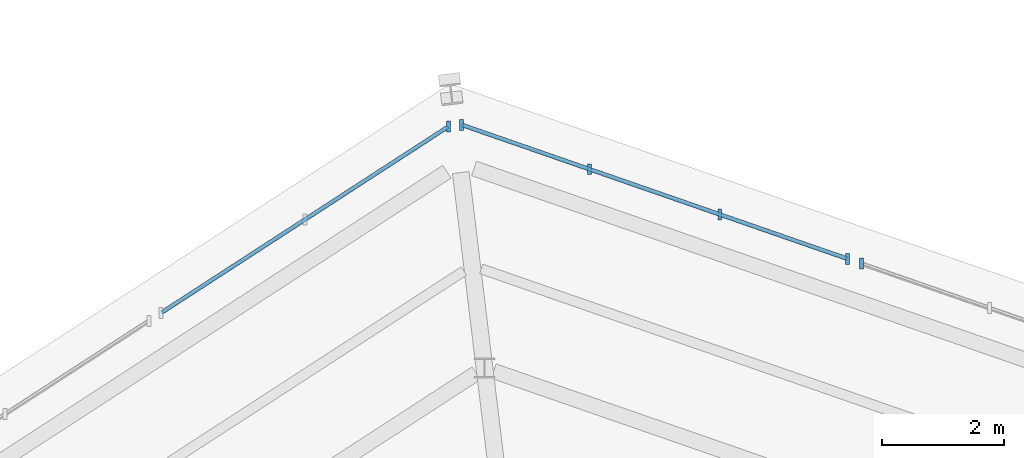
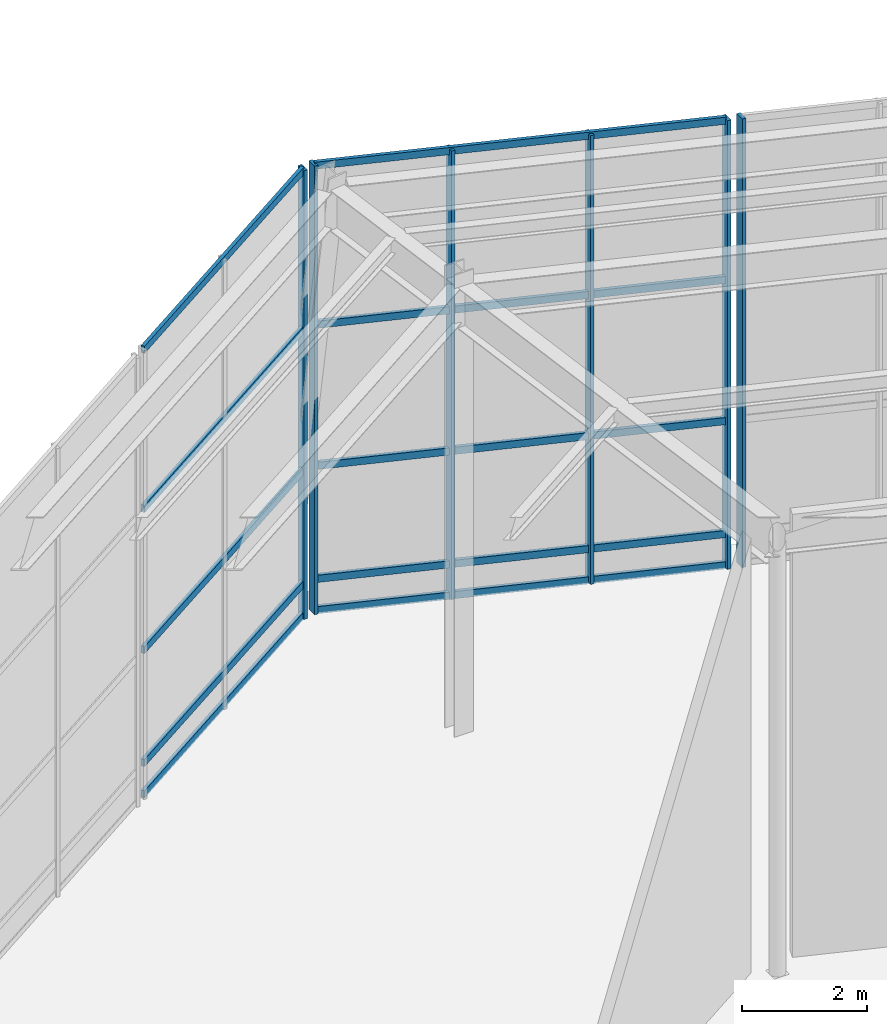
# One storey, part 21 of 48: 16 members, 3 elements without a shape of their own.
"""IFC4 building model written with IfcOpenShell, lengths in metres."""

from ifc_helpers import new_model, si_unit, direction, frame, origin, origin_2d, place, context, subcontext, project, spatial, rectangle, extrude, material, material_profile, profile_set, type_object, element, aggregate, save


model = new_model("IFC4")

# Units and contexts
model_context = context("Model", 3, precision=1e-05, world=origin(), true_north=direction((0.0, 1.0)))
body_context = subcontext(model_context, "Body", "Model", "MODEL_VIEW")
ifc_project = project(units=[si_unit("LENGTHUNIT", "METRE"), si_unit("AREAUNIT", "SQUARE_METRE"), si_unit("VOLUMEUNIT", "CUBIC_METRE"), si_unit("PLANEANGLEUNIT", "RADIAN"), si_unit("MASSUNIT", "GRAM", prefix="KILO")], contexts=[model_context])

# Site, building, storey
site_placement = place(None, origin())
site = spatial("IfcSite", under=ifc_project, at=site_placement, CompositionType="ELEMENT")
building_placement = place(site_placement, origin())
building = spatial("IfcBuilding", under=site, at=building_placement, Name="Sarnbrook Museum", CompositionType="ELEMENT")
storey_placement = place(building_placement, frame((0.0, 0.0, 19.10009765625)))
storey = spatial("IfcBuildingStorey", under=building, at=storey_placement, Name="L04", CompositionType="ELEMENT", Elevation=19.10009765625)

# Curtain wall, member
ifc_material = material(Name="Thermally Broken Anodised Aluminium 6063-T6", Category="aluminium")
curtain_wall_type = type_object("IfcCurtainWallType", Name="CurtainWall_CrystalFacet", PredefinedType="NOTDEFINED", material=ifc_material)
curtain_wall_1_placement = place(storey_placement, origin())
curtain_wall_1 = element("IfcCurtainWall", 1, at=curtain_wall_1_placement, inside=storey, type_object=curtain_wall_type, Name="Crystal Hall Facet Curtain Wall L04-F5.2", PredefinedType="NOTDEFINED")
ifc_material_profile_1 = material_profile(ifc_material, rectangle(XDim=0.06494140625, YDim=0.179931640625, at=origin_2d()), Name="ALU MULLION 65x180")
ifc_profile_set_1 = profile_set([ifc_material_profile_1], Name="Thermally Broken Anodised Aluminium 6063-T6")
member_type_1 = type_object("IfcMemberType", Name="CW_Mullion_180x75", PredefinedType="MULLION", material=ifc_profile_set_1)
member_1_placement = place(storey_placement, frame((142.993408203125, 110.181396484375, 0.0), z_axis=(0.0, 0.0, 1.0), x_axis=(1.0, 0.0, 0.0)))
member_1 = element("IfcMember", 2, at=member_1_placement, type_object=member_type_1, Name="Crystal Hall Facet Curtain Wall L04-F5.2 Mullion 4", PredefinedType="MULLION", context=body_context, shape_type="SweptSolid", body=[
    extrude(rectangle(XDim=0.06494140625, YDim=0.179931640625, at=origin_2d()), origin(), (0.0, 0.0, 1.0), 8.739990234375),
])
aggregate(curtain_wall_1, [member_1])

# Curtain wall, members
curtain_wall_2_placement = place(storey_placement, origin())
curtain_wall_2 = element("IfcCurtainWall", 3, at=curtain_wall_2_placement, inside=storey, type_object=curtain_wall_type, Name="Crystal Hall Facet Curtain Wall L04-F5.3", PredefinedType="NOTDEFINED")
member_2_placement = place(storey_placement, frame((142.7666015625, 110.260009765625, 0.0), z_axis=(0.0, 0.0, 1.0), x_axis=(1.0, 0.0, 0.0)))
member_2 = element("IfcMember", 4, at=member_2_placement, type_object=member_type_1, Name="Crystal Hall Facet Curtain Wall L04-F5.3 Mullion 1", PredefinedType="MULLION", context=body_context, shape_type="SweptSolid", body=[
    extrude(rectangle(XDim=0.06494140625, YDim=0.179931640625, at=origin_2d()), origin(), (0.0, 0.0, 1.0), 8.739990234375),
])
member_3_placement = place(storey_placement, frame((140.66650390625, 110.9892578125, 0.0), z_axis=(0.0, 0.0, 1.0), x_axis=(1.0, 0.0, 0.0)))
member_3 = element("IfcMember", 5, at=member_3_placement, type_object=member_type_1, Name="Crystal Hall Facet Curtain Wall L04-F5.3 Mullion 2", PredefinedType="MULLION", context=body_context, shape_type="SweptSolid", body=[
    extrude(rectangle(XDim=0.06494140625, YDim=0.179931640625, at=origin_2d()), origin(), (0.0, 0.0, 1.0), 8.739990234375),
])
member_4_placement = place(storey_placement, frame((138.52880859375, 111.731689453125, 0.0), z_axis=(0.0, 0.0, 1.0), x_axis=(1.0, 0.0, 0.0)))
member_4 = element("IfcMember", 6, at=member_4_placement, type_object=member_type_1, Name="Crystal Hall Facet Curtain Wall L04-F5.3 Mullion 3", PredefinedType="MULLION", context=body_context, shape_type="SweptSolid", body=[
    extrude(rectangle(XDim=0.06494140625, YDim=0.179931640625, at=origin_2d()), origin(), (0.0, 0.0, 1.0), 8.739990234375),
])
member_5_placement = place(storey_placement, frame((136.4287109375, 112.460693359375, 0.0), z_axis=(0.0, 0.0, 1.0), x_axis=(1.0, 0.0, 0.0)))
member_5 = element("IfcMember", 7, at=member_5_placement, type_object=member_type_1, Name="Crystal Hall Facet Curtain Wall L04-F5.3 Mullion 4", PredefinedType="MULLION", context=body_context, shape_type="SweptSolid", body=[
    extrude(rectangle(XDim=0.06494140625, YDim=0.179931640625, at=origin_2d()), origin(), (0.0, 0.0, 1.0), 8.739990234375),
])

# Curtain wall, member
curtain_wall_3_placement = place(storey_placement, origin())
curtain_wall_3 = element("IfcCurtainWall", 8, at=curtain_wall_3_placement, inside=storey, type_object=curtain_wall_type, Name="Crystal Hall Facet Curtain Wall L04-F6.1", PredefinedType="NOTDEFINED")
member_6_placement = place(storey_placement, frame((136.214599609375, 112.434814453125, 0.0), z_axis=(0.0, 0.0, 1.0), x_axis=(1.0, 0.0, 0.0)))
member_6 = element("IfcMember", 9, at=member_6_placement, type_object=member_type_1, Name="Crystal Hall Facet Curtain Wall L04-F6.1 Mullion 1", PredefinedType="MULLION", context=body_context, shape_type="SweptSolid", body=[
    extrude(rectangle(XDim=0.06494140625, YDim=0.179931640625, at=origin_2d()), origin(), (0.0, 0.0, 1.0), 8.739990234375),
])

# Member
ifc_material_profile_2 = material_profile(ifc_material, rectangle(XDim=0.06494140625, YDim=0.139892578125, at=origin_2d()), Name="ALU TRANSOM 65x140")
ifc_profile_set_2 = profile_set([ifc_material_profile_2], Name="Thermally Broken Anodised Aluminium 6063-T6")
member_type_2 = type_object("IfcMemberType", Name="CW_Transom_150x65", PredefinedType="USERDEFINED", material=ifc_profile_set_2)
member_7_placement = place(storey_placement, frame((142.757080078125, 110.263427734375, 0.039794921875), z_axis=(-0.944675392045, 0.328006712835, 0.0), x_axis=(-0.328006712835, -0.944675392045, 0.0)))
member_7 = element("IfcMember", 10, at=member_7_placement, type_object=member_type_2, Name="Crystal Hall Facet Curtain Wall L04-F5.3 Transom 1", ObjectType="TRANSOM", PredefinedType="USERDEFINED", context=body_context, shape_type="SweptSolid", body=[
    extrude(rectangle(XDim=0.06494140625, YDim=0.139892578125, at=origin_2d()), origin(), (0.0, 0.0, 1.0), 6.689208984375),
])

member_8_placement = place(storey_placement, frame((142.757080078125, 110.263427734375, 0.64990234375), z_axis=(-0.944675392045, 0.328006712835, 0.0), x_axis=(-0.328006712835, -0.944675392045, 0.0)))
member_8 = element("IfcMember", 11, at=member_8_placement, type_object=member_type_2, Name="Crystal Hall Facet Curtain Wall L04-F5.3 Transom 2", ObjectType="TRANSOM", PredefinedType="USERDEFINED", context=body_context, shape_type="SweptSolid", body=[
    extrude(rectangle(XDim=0.06494140625, YDim=0.139892578125, at=origin_2d()), origin(), (0.0, 0.0, 1.0), 6.689208984375),
])

member_9_placement = place(storey_placement, frame((142.757080078125, 110.263427734375, 2.849853515625), z_axis=(-0.944675392045, 0.328006712835, 0.0), x_axis=(-0.328006712835, -0.944675392045, 0.0)))
member_9 = element("IfcMember", 12, at=member_9_placement, type_object=member_type_2, Name="Crystal Hall Facet Curtain Wall L04-F5.3 Transom 3", ObjectType="TRANSOM", PredefinedType="USERDEFINED", context=body_context, shape_type="SweptSolid", body=[
    extrude(rectangle(XDim=0.06494140625, YDim=0.139892578125, at=origin_2d()), origin(), (0.0, 0.0, 1.0), 6.689208984375),
])

member_10_placement = place(storey_placement, frame((142.757080078125, 110.263427734375, 5.599853515625), z_axis=(-0.944675392045, 0.328006712835, 0.0), x_axis=(-0.328006712835, -0.944675392045, 0.0)))
member_10 = element("IfcMember", 13, at=member_10_placement, type_object=member_type_2, Name="Crystal Hall Facet Curtain Wall L04-F5.3 Transom 4", ObjectType="TRANSOM", PredefinedType="USERDEFINED", context=body_context, shape_type="SweptSolid", body=[
    extrude(rectangle(XDim=0.06494140625, YDim=0.139892578125, at=origin_2d()), origin(), (0.0, 0.0, 1.0), 6.689208984375),
])

member_11_placement = place(storey_placement, frame((142.757080078125, 110.263427734375, 8.699951171875), z_axis=(-0.944675392045, 0.328006712835, 0.0), x_axis=(-0.328006712835, -0.944675392045, 0.0)))
member_11 = element("IfcMember", 14, at=member_11_placement, type_object=member_type_2, Name="Crystal Hall Facet Curtain Wall L04-F5.3 Transom 5", ObjectType="TRANSOM", PredefinedType="USERDEFINED", context=body_context, shape_type="SweptSolid", body=[
    extrude(rectangle(XDim=0.06494140625, YDim=0.139892578125, at=origin_2d()), origin(), (0.0, 0.0, 1.0), 6.689208984375),
])

aggregate(curtain_wall_2, [member_2, member_3, member_4, member_5, member_7, member_8, member_9, member_10, member_11])

member_12_placement = place(storey_placement, frame((136.206298828125, 112.429443359375, 0.039794921875), z_axis=(-0.838900020897, -0.544285545407, 0.0), x_axis=(0.544285545407, -0.838900020897, 0.0)))
member_12 = element("IfcMember", 15, at=member_12_placement, type_object=member_type_2, Name="Crystal Hall Facet Curtain Wall L04-F6.1 Transom 1", ObjectType="TRANSOM", PredefinedType="USERDEFINED", context=body_context, shape_type="SweptSolid", body=[
    extrude(rectangle(XDim=0.06494140625, YDim=0.139892578125, at=origin_2d()), origin(), (0.0, 0.0, 1.0), 5.60595703125),
])

member_13_placement = place(storey_placement, frame((136.206298828125, 112.429443359375, 0.64990234375), z_axis=(-0.838900020897, -0.544285545407, 0.0), x_axis=(0.544285545407, -0.838900020897, 0.0)))
member_13 = element("IfcMember", 16, at=member_13_placement, type_object=member_type_2, Name="Crystal Hall Facet Curtain Wall L04-F6.1 Transom 2", ObjectType="TRANSOM", PredefinedType="USERDEFINED", context=body_context, shape_type="SweptSolid", body=[
    extrude(rectangle(XDim=0.06494140625, YDim=0.139892578125, at=origin_2d()), origin(), (0.0, 0.0, 1.0), 5.60595703125),
])

member_14_placement = place(storey_placement, frame((136.206298828125, 112.429443359375, 2.849853515625), z_axis=(-0.838900020897, -0.544285545407, 0.0), x_axis=(0.544285545407, -0.838900020897, 0.0)))
member_14 = element("IfcMember", 17, at=member_14_placement, type_object=member_type_2, Name="Crystal Hall Facet Curtain Wall L04-F6.1 Transom 3", ObjectType="TRANSOM", PredefinedType="USERDEFINED", context=body_context, shape_type="SweptSolid", body=[
    extrude(rectangle(XDim=0.06494140625, YDim=0.139892578125, at=origin_2d()), origin(), (0.0, 0.0, 1.0), 5.60595703125),
])

member_15_placement = place(storey_placement, frame((136.206298828125, 112.429443359375, 5.599853515625), z_axis=(-0.838900020897, -0.544285545407, 0.0), x_axis=(0.544285545407, -0.838900020897, 0.0)))
member_15 = element("IfcMember", 18, at=member_15_placement, type_object=member_type_2, Name="Crystal Hall Facet Curtain Wall L04-F6.1 Transom 4", ObjectType="TRANSOM", PredefinedType="USERDEFINED", context=body_context, shape_type="SweptSolid", body=[
    extrude(rectangle(XDim=0.06494140625, YDim=0.139892578125, at=origin_2d()), origin(), (0.0, 0.0, 1.0), 5.60595703125),
])

member_16_placement = place(storey_placement, frame((136.206298828125, 112.429443359375, 8.699951171875), z_axis=(-0.838900020897, -0.544285545407, 0.0), x_axis=(0.544285545407, -0.838900020897, 0.0)))
member_16 = element("IfcMember", 19, at=member_16_placement, type_object=member_type_2, Name="Crystal Hall Facet Curtain Wall L04-F6.1 Transom 5", ObjectType="TRANSOM", PredefinedType="USERDEFINED", context=body_context, shape_type="SweptSolid", body=[
    extrude(rectangle(XDim=0.06494140625, YDim=0.139892578125, at=origin_2d()), origin(), (0.0, 0.0, 1.0), 5.60595703125),
])

aggregate(curtain_wall_3, [member_6, member_12, member_13, member_14, member_15, member_16])

save(model, "model.ifc")
